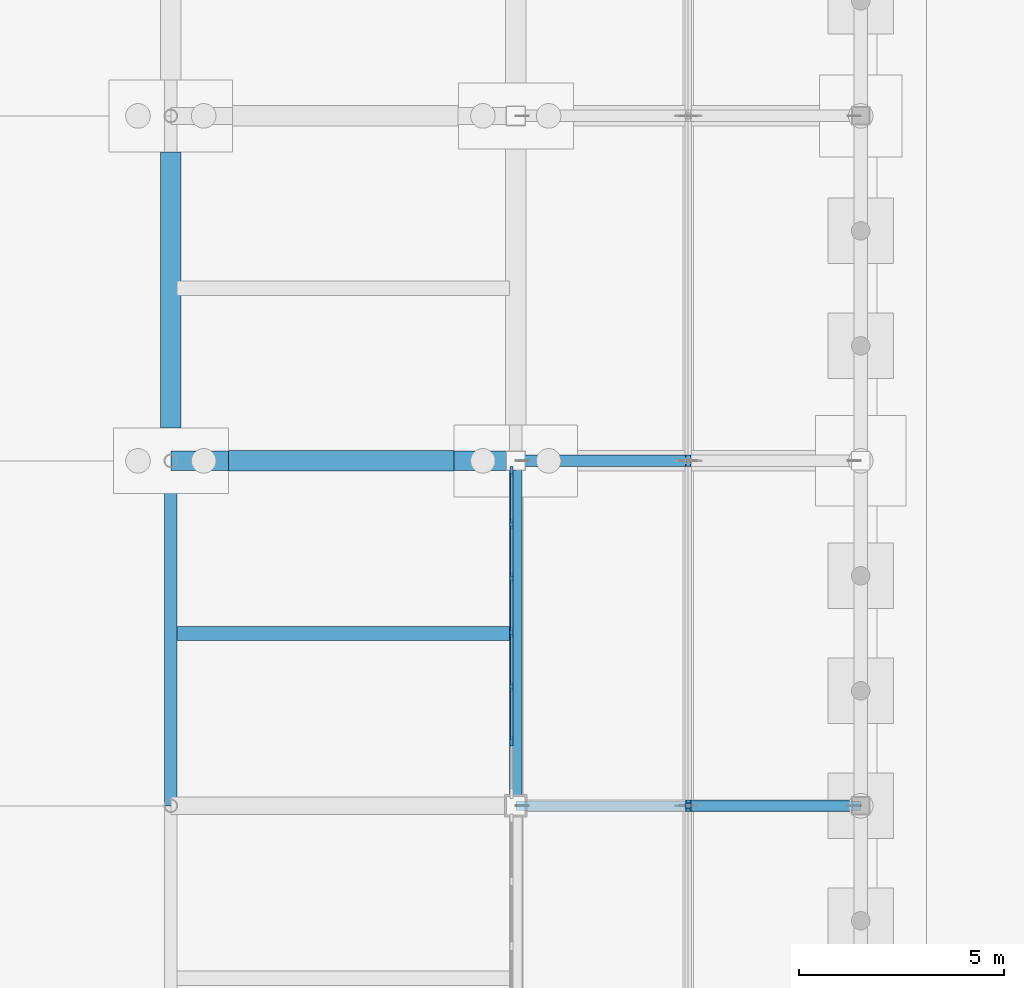
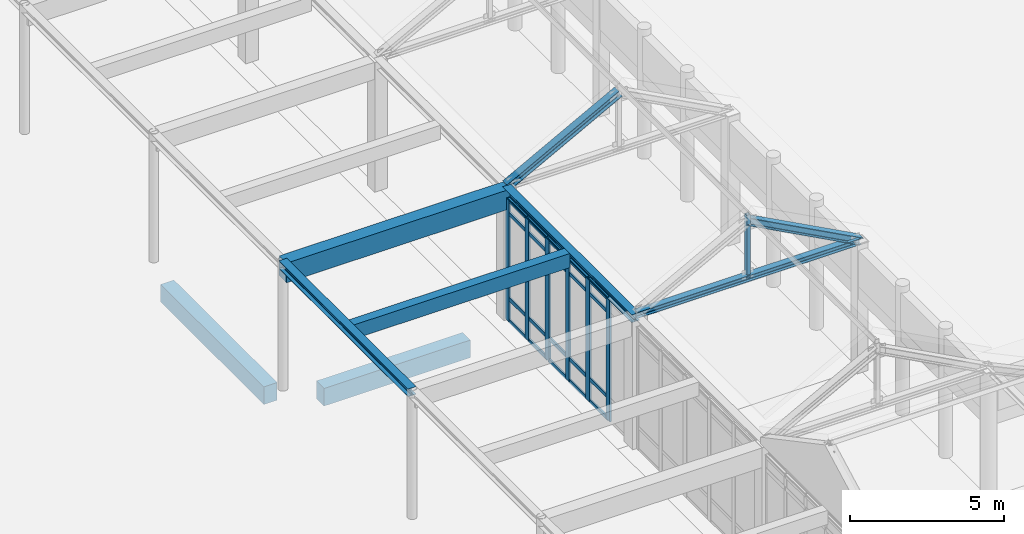
# One storey, part 41 of 143: 30 members, 6 beams, 1 element without a shape of its own.
"""IFC4 building model written with IfcOpenShell, lengths in metres."""

from ifc_helpers import new_model, si_unit, direction, frame, origin, origin_2d, place, context, subcontext, project, spatial, rectangle, hollow_rectangle, i_section, extrude, material, layer, layer_set, material_profile, profile_set, type_object, element, aggregate, save


model = new_model("IFC4")

# Units and contexts
model_context = context("Model", 3, precision=1e-05, world=origin(), true_north=direction((0.0, 1.0)))
body_context = subcontext(model_context, "Body", "Model", "MODEL_VIEW")
ifc_project = project(units=[si_unit("LENGTHUNIT", "METRE"), si_unit("AREAUNIT", "SQUARE_METRE"), si_unit("VOLUMEUNIT", "CUBIC_METRE"), si_unit("PLANEANGLEUNIT", "RADIAN"), si_unit("MASSUNIT", "GRAM", prefix="KILO")], contexts=[model_context])

# Site, building, storey
site_placement = place(None, origin())
site = spatial("IfcSite", under=ifc_project, at=site_placement, CompositionType="ELEMENT")
building_placement = place(site_placement, origin())
building = spatial("IfcBuilding", under=site, at=building_placement, Name="Kveldsbrygga Polytechnic", CompositionType="ELEMENT")
storey_placement = place(building_placement, origin())
storey = spatial("IfcBuildingStorey", under=building, at=storey_placement, Name="L00", CompositionType="ELEMENT", Elevation=0.0)

# Beams
ifc_material_1 = material(Name="Concrete C35/45", Category="concrete")
ifc_material_profile_1 = material_profile(ifc_material_1, rectangle(XDim=0.47998046875, YDim=0.780029296875, at=origin_2d()), Name="RC 480x780")
ifc_profile_set_1 = profile_set([ifc_material_profile_1], Name="Concrete C35/45")
beam_type_1 = type_object("IfcBeamType", Name="BM-RC-480x780", PredefinedType="BEAM", material=ifc_profile_set_1)
beam_1_placement = place(storey_placement, frame((67.199951171875, 50.39990234375, 4.75), z_axis=(1.0, 0.0, 0.0), x_axis=(0.0, 1.0, 0.0)))
element("IfcBeam", 1, at=beam_1_placement, inside=storey, type_object=beam_type_1, Name="Primary Beam BMX-L00-08to09-06", PredefinedType="BEAM", context=body_context, shape_type="SweptSolid", body=[
    extrude(rectangle(XDim=0.47998046875, YDim=0.780029296875, at=origin_2d()), origin(), (0.0, 0.0, 1.0), 8.400146484375),
])
ifc_material_2 = material(Name="Steel S355", Category="steel")
ifc_material_profile_2 = material_profile(ifc_material_2, i_section(OverallWidth=0.300048828125, OverallDepth=0.31005859375, WebThickness=0.009033203125, FlangeThickness=0.015380859375, FilletRadius=0.027099609375, at=origin_2d()), Name="HEA 320")
ifc_profile_set_2 = profile_set([ifc_material_profile_2], Name="Steel S355")
beam_type_2 = type_object("IfcBeamType", Name="BM-STL-HEA320", PredefinedType="BEAM", material=ifc_profile_set_2)
for number, where, z_axis, x_axis, name in (
    (2, (67.199951171875, 42.0, 4.985107421875), (0.0, 1.0, 0.0), (-1.0, 0.0, 0.0), "Primary Beam BMY-L00-08-05to06"),
    (3, (75.60009765625, 42.0, 4.985107421875), (0.0, 1.0, 0.0), (-1.0, 0.0, 0.0), "Primary Beam BMY-L00-09-05to06"),
):
    element("IfcBeam", number, at=place(storey_placement, frame(where, z_axis=z_axis, x_axis=x_axis)), inside=storey, type_object=beam_type_2, Name=name, PredefinedType="BEAM", context=body_context, shape_type="SweptSolid", body=[
        extrude(i_section(OverallWidth=0.300048828125, OverallDepth=0.31005859375, WebThickness=0.009033203125, FlangeThickness=0.015380859375, FilletRadius=0.027099609375, at=origin_2d()), origin(), (0.0, 0.0, 1.0), 8.39990234375),
    ])
ifc_material_profile_3 = material_profile(ifc_material_1, rectangle(XDim=0.5, YDim=0.699951171875, at=origin_2d()), Name="RC 500x700")
ifc_profile_set_3 = profile_set([ifc_material_profile_3], Name="Concrete C35/45")
beam_type_3 = type_object("IfcBeamType", Name="BM-TIE-500x700", PredefinedType="BEAM", material=ifc_profile_set_3)
beam_2_placement = place(storey_placement, frame((68.60205078125, 50.39990234375, -0.669921875), z_axis=(1.0, 0.0, 0.0), x_axis=(0.0, 1.0, 0.0)))
element("IfcBeam", 4, at=beam_2_placement, inside=storey, type_object=beam_type_3, Name="Ground Tie Beam GB-L00-X-08-06", PredefinedType="BEAM", context=body_context, shape_type="SweptSolid", body=[
    extrude(rectangle(XDim=0.5, YDim=0.699951171875, at=origin_2d()), origin(), (0.0, 0.0, 1.0), 5.495849609375),
])
beam_3_placement = place(storey_placement, frame((67.199951171875, 51.201904296875, -0.669921875), z_axis=(0.0, 1.0, 0.0), x_axis=(-1.0, 0.0, 0.0)))
element("IfcBeam", 5, at=beam_3_placement, inside=storey, type_object=beam_type_3, Name="Ground Tie Beam GB-L00-Y-08-06", PredefinedType="BEAM", context=body_context, shape_type="SweptSolid", body=[
    extrude(rectangle(XDim=0.5, YDim=0.699951171875, at=origin_2d()), origin(), (0.0, 0.0, 1.0), 6.72119140625),
])

# Curtain wall, members
ifc_material_3 = material(Name="Anodised aluminium AW-6060", Category="aluminium")
ifc_layer = layer(ifc_material_3, 0.2099609375)
ifc_layer_set = layer_set([ifc_layer], Name="Anodised aluminium AW-6060")
curtain_wall_type = type_object("IfcCurtainWallType", Name="CW-LIBR-H", PredefinedType="USERDEFINED", material=ifc_layer_set)
curtain_wall_placement = place(storey_placement, origin())
curtain_wall = element("IfcCurtainWall", 6, at=curtain_wall_placement, inside=storey, type_object=curtain_wall_type, Name="Curtain Wall CW-L00-Y-09-05", ObjectType="UNITISED CURTAIN WALL", PredefinedType="USERDEFINED")
ifc_material_profile_4 = material_profile(ifc_material_3, rectangle(XDim=0.074951171875, YDim=0.239990234375, at=origin_2d()), Name="ALU 75x240")
ifc_profile_set_4 = profile_set([ifc_material_profile_4], Name="Anodised aluminium AW-6060")
member_type_1 = type_object("IfcMemberType", Name="CW-MUL-240", PredefinedType="MULLION", material=ifc_profile_set_4)
member_1_placement = place(storey_placement, frame((75.5, 43.5791015625, 0.0), z_axis=(0.0, 0.0, 1.0), x_axis=(-1.0, 0.0, 0.0)))
member_1 = element("IfcMember", 7, at=member_1_placement, type_object=member_type_1, Name="CW-08 mullion 2", PredefinedType="MULLION", context=body_context, shape_type="SweptSolid", body=[
    extrude(rectangle(XDim=0.074951171875, YDim=0.239990234375, at=origin_2d()), origin(), (0.0, 0.0, 1.0), 4.830078125),
])
member_2_placement = place(storey_placement, frame((75.5, 44.8984375, 0.0), z_axis=(0.0, 0.0, 1.0), x_axis=(-1.0, 0.0, 0.0)))
member_2 = element("IfcMember", 8, at=member_2_placement, type_object=member_type_1, Name="CW-08 mullion 3", PredefinedType="MULLION", context=body_context, shape_type="SweptSolid", body=[
    extrude(rectangle(XDim=0.074951171875, YDim=0.239990234375, at=origin_2d()), origin(), (0.0, 0.0, 1.0), 4.830078125),
])
member_3_placement = place(storey_placement, frame((75.5, 46.217529296875, 0.0), z_axis=(0.0, 0.0, 1.0), x_axis=(-1.0, 0.0, 0.0)))
member_3 = element("IfcMember", 9, at=member_3_placement, type_object=member_type_1, Name="CW-08 mullion 4", PredefinedType="MULLION", context=body_context, shape_type="SweptSolid", body=[
    extrude(rectangle(XDim=0.074951171875, YDim=0.239990234375, at=origin_2d()), origin(), (0.0, 0.0, 1.0), 4.830078125),
])
member_4_placement = place(storey_placement, frame((75.5, 47.53662109375, 0.0), z_axis=(0.0, 0.0, 1.0), x_axis=(-1.0, 0.0, 0.0)))
member_4 = element("IfcMember", 10, at=member_4_placement, type_object=member_type_1, Name="CW-08 mullion 5", PredefinedType="MULLION", context=body_context, shape_type="SweptSolid", body=[
    extrude(rectangle(XDim=0.074951171875, YDim=0.239990234375, at=origin_2d()), origin(), (0.0, 0.0, 1.0), 4.830078125),
])
member_5_placement = place(storey_placement, frame((75.5, 48.855712890625, 0.0), z_axis=(0.0, 0.0, 1.0), x_axis=(-1.0, 0.0, 0.0)))
member_5 = element("IfcMember", 11, at=member_5_placement, type_object=member_type_1, Name="CW-08 mullion 6", PredefinedType="MULLION", context=body_context, shape_type="SweptSolid", body=[
    extrude(rectangle(XDim=0.074951171875, YDim=0.239990234375, at=origin_2d()), origin(), (0.0, 0.0, 1.0), 4.830078125),
])
member_6_placement = place(storey_placement, frame((75.5, 50.137451171875, 0.0), z_axis=(0.0, 0.0, 1.0), x_axis=(-1.0, 0.0, 0.0)))
member_6 = element("IfcMember", 12, at=member_6_placement, type_object=member_type_1, Name="CW-08 mullion 7", PredefinedType="MULLION", context=body_context, shape_type="SweptSolid", body=[
    extrude(rectangle(XDim=0.074951171875, YDim=0.239990234375, at=origin_2d()), origin(), (0.0, 0.0, 1.0), 4.830078125),
])
ifc_material_profile_5 = material_profile(ifc_material_3, rectangle(XDim=0.06005859375, YDim=0.14990234375, at=origin_2d()), Name="ALU 60x150")
ifc_profile_set_5 = profile_set([ifc_material_profile_5], Name="Anodised aluminium AW-6060")
member_type_2 = type_object("IfcMemberType", Name="CW-TRN-150", PredefinedType="USERDEFINED", material=ifc_profile_set_5)
member_7_placement = place(storey_placement, frame((75.5, 43.61669921875, 0.030029296875), z_axis=(0.0, 1.0, 0.0), x_axis=(-1.0, 0.0, 0.0)))
member_7 = element("IfcMember", 13, at=member_7_placement, type_object=member_type_2, Name="CW-08 transom 2.1", ObjectType="TRANSOM", PredefinedType="USERDEFINED", context=body_context, shape_type="SweptSolid", body=[
    extrude(rectangle(XDim=0.06005859375, YDim=0.14990234375, at=origin_2d()), origin(), (0.0, 0.0, 1.0), 1.244140625),
])
member_8_placement = place(storey_placement, frame((75.5, 43.61669921875, 0.89990234375), z_axis=(0.0, 1.0, 0.0), x_axis=(-1.0, 0.0, 0.0)))
member_8 = element("IfcMember", 14, at=member_8_placement, type_object=member_type_2, Name="CW-08 transom 2.2", ObjectType="TRANSOM", PredefinedType="USERDEFINED", context=body_context, shape_type="SweptSolid", body=[
    extrude(rectangle(XDim=0.06005859375, YDim=0.14990234375, at=origin_2d()), origin(), (0.0, 0.0, 1.0), 1.244140625),
])
member_9_placement = place(storey_placement, frame((75.5, 43.61669921875, 4.280029296875), z_axis=(0.0, 1.0, 0.0), x_axis=(-1.0, 0.0, 0.0)))
member_9 = element("IfcMember", 15, at=member_9_placement, type_object=member_type_2, Name="CW-08 transom 2.3", ObjectType="TRANSOM", PredefinedType="USERDEFINED", context=body_context, shape_type="SweptSolid", body=[
    extrude(rectangle(XDim=0.06005859375, YDim=0.14990234375, at=origin_2d()), origin(), (0.0, 0.0, 1.0), 1.244140625),
])
member_10_placement = place(storey_placement, frame((75.5, 43.61669921875, 4.800048828125), z_axis=(0.0, 1.0, 0.0), x_axis=(-1.0, 0.0, 0.0)))
member_10 = element("IfcMember", 16, at=member_10_placement, type_object=member_type_2, Name="CW-08 transom 2.4", ObjectType="TRANSOM", PredefinedType="USERDEFINED", context=body_context, shape_type="SweptSolid", body=[
    extrude(rectangle(XDim=0.06005859375, YDim=0.14990234375, at=origin_2d()), origin(), (0.0, 0.0, 1.0), 1.244140625),
])
member_11_placement = place(storey_placement, frame((75.5, 44.935791015625, 0.030029296875), z_axis=(0.0, 1.0, 0.0), x_axis=(-1.0, 0.0, 0.0)))
member_11 = element("IfcMember", 17, at=member_11_placement, type_object=member_type_2, Name="CW-08 transom 3.1", ObjectType="TRANSOM", PredefinedType="USERDEFINED", context=body_context, shape_type="SweptSolid", body=[
    extrude(rectangle(XDim=0.06005859375, YDim=0.14990234375, at=origin_2d()), origin(), (0.0, 0.0, 1.0), 1.244140625),
])
member_12_placement = place(storey_placement, frame((75.5, 44.935791015625, 0.89990234375), z_axis=(0.0, 1.0, 0.0), x_axis=(-1.0, 0.0, 0.0)))
member_12 = element("IfcMember", 18, at=member_12_placement, type_object=member_type_2, Name="CW-08 transom 3.2", ObjectType="TRANSOM", PredefinedType="USERDEFINED", context=body_context, shape_type="SweptSolid", body=[
    extrude(rectangle(XDim=0.06005859375, YDim=0.14990234375, at=origin_2d()), origin(), (0.0, 0.0, 1.0), 1.244140625),
])
member_13_placement = place(storey_placement, frame((75.5, 44.935791015625, 4.280029296875), z_axis=(0.0, 1.0, 0.0), x_axis=(-1.0, 0.0, 0.0)))
member_13 = element("IfcMember", 19, at=member_13_placement, type_object=member_type_2, Name="CW-08 transom 3.3", ObjectType="TRANSOM", PredefinedType="USERDEFINED", context=body_context, shape_type="SweptSolid", body=[
    extrude(rectangle(XDim=0.06005859375, YDim=0.14990234375, at=origin_2d()), origin(), (0.0, 0.0, 1.0), 1.244140625),
])
member_14_placement = place(storey_placement, frame((75.5, 44.935791015625, 4.800048828125), z_axis=(0.0, 1.0, 0.0), x_axis=(-1.0, 0.0, 0.0)))
member_14 = element("IfcMember", 20, at=member_14_placement, type_object=member_type_2, Name="CW-08 transom 3.4", ObjectType="TRANSOM", PredefinedType="USERDEFINED", context=body_context, shape_type="SweptSolid", body=[
    extrude(rectangle(XDim=0.06005859375, YDim=0.14990234375, at=origin_2d()), origin(), (0.0, 0.0, 1.0), 1.244140625),
])
member_15_placement = place(storey_placement, frame((75.5, 46.2548828125, 0.030029296875), z_axis=(0.0, 1.0, 0.0), x_axis=(-1.0, 0.0, 0.0)))
member_15 = element("IfcMember", 21, at=member_15_placement, type_object=member_type_2, Name="CW-08 transom 4.1", ObjectType="TRANSOM", PredefinedType="USERDEFINED", context=body_context, shape_type="SweptSolid", body=[
    extrude(rectangle(XDim=0.06005859375, YDim=0.14990234375, at=origin_2d()), origin(), (0.0, 0.0, 1.0), 1.244384765625),
])
member_16_placement = place(storey_placement, frame((75.5, 46.2548828125, 0.89990234375), z_axis=(0.0, 1.0, 0.0), x_axis=(-1.0, 0.0, 0.0)))
member_16 = element("IfcMember", 22, at=member_16_placement, type_object=member_type_2, Name="CW-08 transom 4.2", ObjectType="TRANSOM", PredefinedType="USERDEFINED", context=body_context, shape_type="SweptSolid", body=[
    extrude(rectangle(XDim=0.06005859375, YDim=0.14990234375, at=origin_2d()), origin(), (0.0, 0.0, 1.0), 1.244384765625),
])
member_17_placement = place(storey_placement, frame((75.5, 46.2548828125, 4.280029296875), z_axis=(0.0, 1.0, 0.0), x_axis=(-1.0, 0.0, 0.0)))
member_17 = element("IfcMember", 23, at=member_17_placement, type_object=member_type_2, Name="CW-08 transom 4.3", ObjectType="TRANSOM", PredefinedType="USERDEFINED", context=body_context, shape_type="SweptSolid", body=[
    extrude(rectangle(XDim=0.06005859375, YDim=0.14990234375, at=origin_2d()), origin(), (0.0, 0.0, 1.0), 1.244384765625),
])
member_18_placement = place(storey_placement, frame((75.5, 46.2548828125, 4.800048828125), z_axis=(0.0, 1.0, 0.0), x_axis=(-1.0, 0.0, 0.0)))
member_18 = element("IfcMember", 24, at=member_18_placement, type_object=member_type_2, Name="CW-08 transom 4.4", ObjectType="TRANSOM", PredefinedType="USERDEFINED", context=body_context, shape_type="SweptSolid", body=[
    extrude(rectangle(XDim=0.06005859375, YDim=0.14990234375, at=origin_2d()), origin(), (0.0, 0.0, 1.0), 1.244384765625),
])
member_19_placement = place(storey_placement, frame((75.5, 47.57421875, 0.030029296875), z_axis=(0.0, 1.0, 0.0), x_axis=(-1.0, 0.0, 0.0)))
member_19 = element("IfcMember", 25, at=member_19_placement, type_object=member_type_2, Name="CW-08 transom 5.1", ObjectType="TRANSOM", PredefinedType="USERDEFINED", context=body_context, shape_type="SweptSolid", body=[
    extrude(rectangle(XDim=0.06005859375, YDim=0.14990234375, at=origin_2d()), origin(), (0.0, 0.0, 1.0), 1.244140625),
])
member_20_placement = place(storey_placement, frame((75.5, 47.57421875, 0.89990234375), z_axis=(0.0, 1.0, 0.0), x_axis=(-1.0, 0.0, 0.0)))
member_20 = element("IfcMember", 26, at=member_20_placement, type_object=member_type_2, Name="CW-08 transom 5.2", ObjectType="TRANSOM", PredefinedType="USERDEFINED", context=body_context, shape_type="SweptSolid", body=[
    extrude(rectangle(XDim=0.06005859375, YDim=0.14990234375, at=origin_2d()), origin(), (0.0, 0.0, 1.0), 1.244140625),
])
member_21_placement = place(storey_placement, frame((75.5, 47.57421875, 4.280029296875), z_axis=(0.0, 1.0, 0.0), x_axis=(-1.0, 0.0, 0.0)))
member_21 = element("IfcMember", 27, at=member_21_placement, type_object=member_type_2, Name="CW-08 transom 5.3", ObjectType="TRANSOM", PredefinedType="USERDEFINED", context=body_context, shape_type="SweptSolid", body=[
    extrude(rectangle(XDim=0.06005859375, YDim=0.14990234375, at=origin_2d()), origin(), (0.0, 0.0, 1.0), 1.244140625),
])
member_22_placement = place(storey_placement, frame((75.5, 47.57421875, 4.800048828125), z_axis=(0.0, 1.0, 0.0), x_axis=(-1.0, 0.0, 0.0)))
member_22 = element("IfcMember", 28, at=member_22_placement, type_object=member_type_2, Name="CW-08 transom 5.4", ObjectType="TRANSOM", PredefinedType="USERDEFINED", context=body_context, shape_type="SweptSolid", body=[
    extrude(rectangle(XDim=0.06005859375, YDim=0.14990234375, at=origin_2d()), origin(), (0.0, 0.0, 1.0), 1.244140625),
])
member_23_placement = place(storey_placement, frame((75.5, 48.893310546875, 0.030029296875), z_axis=(0.0, 1.0, 0.0), x_axis=(-1.0, 0.0, 0.0)))
member_23 = element("IfcMember", 29, at=member_23_placement, type_object=member_type_2, Name="CW-08 transom 6.1", ObjectType="TRANSOM", PredefinedType="USERDEFINED", context=body_context, shape_type="SweptSolid", body=[
    extrude(rectangle(XDim=0.06005859375, YDim=0.14990234375, at=origin_2d()), origin(), (0.0, 0.0, 1.0), 1.206787109375),
])
member_24_placement = place(storey_placement, frame((75.5, 48.893310546875, 0.89990234375), z_axis=(0.0, 1.0, 0.0), x_axis=(-1.0, 0.0, 0.0)))
member_24 = element("IfcMember", 30, at=member_24_placement, type_object=member_type_2, Name="CW-08 transom 6.2", ObjectType="TRANSOM", PredefinedType="USERDEFINED", context=body_context, shape_type="SweptSolid", body=[
    extrude(rectangle(XDim=0.06005859375, YDim=0.14990234375, at=origin_2d()), origin(), (0.0, 0.0, 1.0), 1.206787109375),
])
member_25_placement = place(storey_placement, frame((75.5, 48.893310546875, 4.280029296875), z_axis=(0.0, 1.0, 0.0), x_axis=(-1.0, 0.0, 0.0)))
member_25 = element("IfcMember", 31, at=member_25_placement, type_object=member_type_2, Name="CW-08 transom 6.3", ObjectType="TRANSOM", PredefinedType="USERDEFINED", context=body_context, shape_type="SweptSolid", body=[
    extrude(rectangle(XDim=0.06005859375, YDim=0.14990234375, at=origin_2d()), origin(), (0.0, 0.0, 1.0), 1.206787109375),
])
member_26_placement = place(storey_placement, frame((75.5, 48.893310546875, 4.800048828125), z_axis=(0.0, 1.0, 0.0), x_axis=(-1.0, 0.0, 0.0)))
member_26 = element("IfcMember", 32, at=member_26_placement, type_object=member_type_2, Name="CW-08 transom 6.4", ObjectType="TRANSOM", PredefinedType="USERDEFINED", context=body_context, shape_type="SweptSolid", body=[
    extrude(rectangle(XDim=0.06005859375, YDim=0.14990234375, at=origin_2d()), origin(), (0.0, 0.0, 1.0), 1.206787109375),
])
aggregate(curtain_wall, [member_1, member_2, member_3, member_4, member_5, member_6, member_7, member_8, member_9, member_10, member_11, member_12, member_13, member_14, member_15, member_16, member_17, member_18, member_19, member_20, member_21, member_22, member_23, member_24, member_25, member_26])

# Beam
ifc_material_profile_6 = material_profile(ifc_material_1, rectangle(XDim=0.340087890625, YDim=0.56005859375, at=origin_2d()), Name="RC 340x560")
ifc_profile_set_6 = profile_set([ifc_material_profile_6], Name="Concrete C35/45")
beam_type_4 = type_object("IfcBeamType", Name="JST-RC-340x560", PredefinedType="JOIST", material=ifc_profile_set_6)
beam_4_placement = place(storey_placement, frame((67.35009765625, 46.199951171875, 4.860107421875), z_axis=(1.0, 0.0, 0.0), x_axis=(0.0, 1.0, 0.0)))
element("IfcBeam", 33, at=beam_4_placement, inside=storey, type_object=beam_type_4, Name="Secondary Joist JST-L00-08-05", PredefinedType="JOIST", context=body_context, shape_type="SweptSolid", body=[
    extrude(rectangle(XDim=0.340087890625, YDim=0.56005859375, at=origin_2d()), origin(), (0.0, 0.0, 1.0), 8.099853515625),
])

# Members
ifc_material_profile_7 = material_profile(ifc_material_2, i_section(OverallWidth=0.239990234375, OverallDepth=0.239990234375, WebThickness=0.010009765625, FlangeThickness=0.01708984375, FilletRadius=0.02099609375, at=origin_2d()), Name="HEB 240")
ifc_profile_set_7 = profile_set([ifc_material_profile_7], Name="Steel S355")
member_type_3 = type_object("IfcMemberType", Name="TR-BOT-HEB240", PredefinedType="CHORD", material=ifc_profile_set_7)
member_27_placement = place(storey_placement, frame((75.60009765625, 42.0, 5.139892578125), z_axis=(1.0, 0.0, 0.0), x_axis=(0.0, 1.0, 0.0)))
element("IfcMember", 34, at=member_27_placement, inside=storey, type_object=member_type_3, Name="Truss Bottom Chord ARC-EW-T02-BC-1", PredefinedType="CHORD", context=body_context, shape_type="SweptSolid", body=[
    extrude(i_section(OverallWidth=0.239990234375, OverallDepth=0.239990234375, WebThickness=0.010009765625, FlangeThickness=0.01708984375, FilletRadius=0.02099609375, at=origin_2d()), origin(), (0.0, 0.0, 1.0), 8.39990234375),
])
ifc_material_profile_8 = material_profile(ifc_material_2, hollow_rectangle(XDim=0.139892578125, YDim=0.139892578125, WallThickness=0.008056640625, at=origin_2d()), Name="SHS 140x140x8.0")
ifc_profile_set_8 = profile_set([ifc_material_profile_8], Name="Steel S355")
member_type_4 = type_object("IfcMemberType", Name="TR-POST-SHS140", PredefinedType="STRUT", material=ifc_profile_set_8)
member_28_placement = place(storey_placement, frame((79.800048828125, 42.0, 5.139892578125), z_axis=(0.0, 0.0, 1.0), x_axis=(1.0, 0.0, 0.0)))
element("IfcMember", 35, at=member_28_placement, inside=storey, type_object=member_type_4, Name="Truss Vertical ARC-EW-T02-VT-1", PredefinedType="STRUT", context=body_context, shape_type="SweptSolid", body=[
    extrude(hollow_rectangle(XDim=0.139892578125, YDim=0.139892578125, WallThickness=0.008056640625, at=origin_2d()), origin(), (0.0, 0.0, 1.0), 2.493896484375),
])
ifc_material_profile_9 = material_profile(ifc_material_2, i_section(OverallWidth=0.280029296875, OverallDepth=0.280029296875, WebThickness=0.010498046875, FlangeThickness=0.01806640625, FilletRadius=0.02392578125, at=origin_2d()), Name="HEB 280")
ifc_profile_set_9 = profile_set([ifc_material_profile_9], Name="Steel S355")
member_type_5 = type_object("IfcMemberType", Name="TR-TOP-HEB280", PredefinedType="CHORD", material=ifc_profile_set_9)
for number, where, z_axis, x_axis, name in (
    (36, (79.800048828125, 42.0, 7.389892578125), (0.881477684796, 0.0, -0.472225678258), (0.0, 1.0, 0.0), "Truss Top Chord ARC-EW-T02-TC-2"),
    (37, (75.60009765625, 50.39990234375, 5.139892578125), (0.881477684796, 0.0, 0.472225678258), (0.0, 1.0, 0.0), "Truss Top Chord ARC-EW-T03-TC-1"),
):
    element("IfcMember", number, at=place(storey_placement, frame(where, z_axis=z_axis, x_axis=x_axis)), inside=storey, type_object=member_type_5, Name=name, PredefinedType="CHORD", context=body_context, shape_type="SweptSolid", body=[
        extrude(i_section(OverallWidth=0.280029296875, OverallDepth=0.280029296875, WebThickness=0.010498046875, FlangeThickness=0.01806640625, FilletRadius=0.02392578125, at=origin_2d()), origin(), (0.0, 0.0, 1.0), 4.7646484375),
    ])

save(model, "model.ifc")
